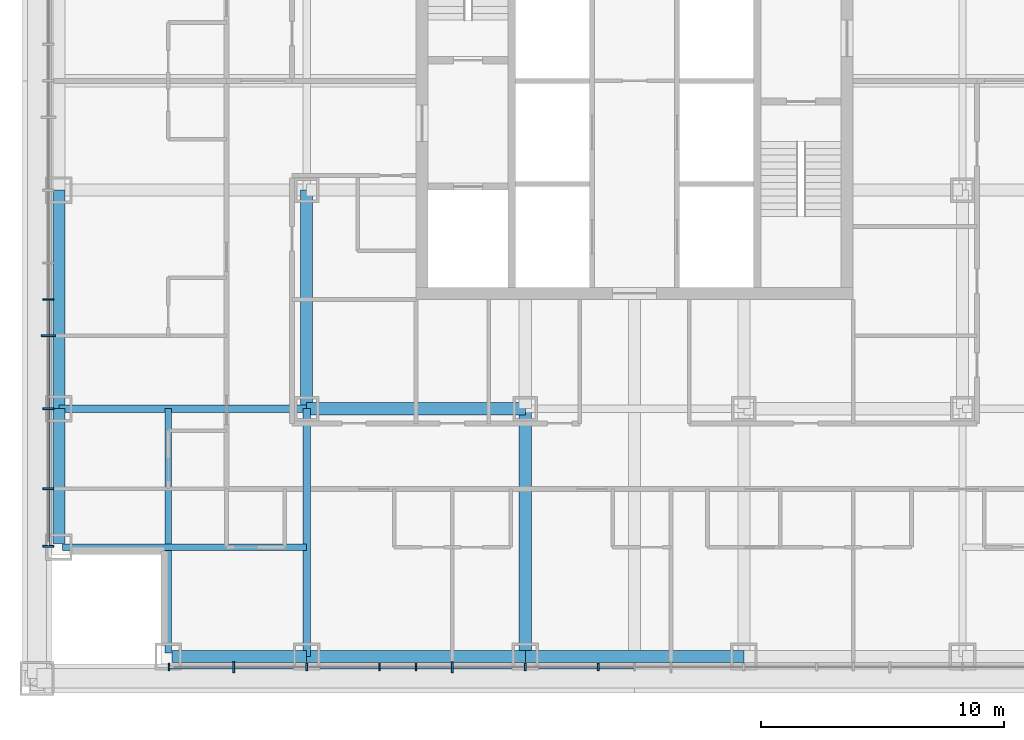
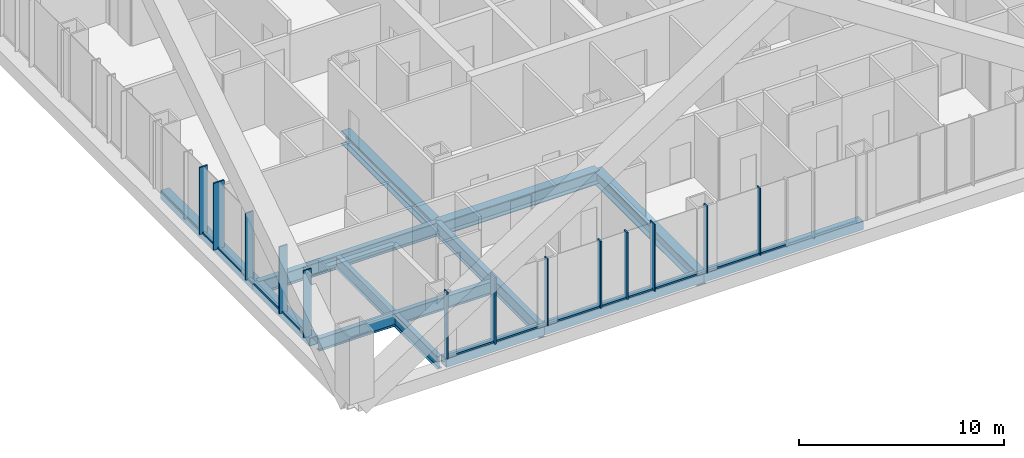
# One storey, part 2 of 21: 25 members, 12 beams, 2 elements without a shape of their own.
"""IFC4 building model written with IfcOpenShell, lengths in metres."""

from ifc_helpers import new_model, si_unit, direction, frame, origin, origin_2d, place, context, subcontext, project, spatial, rectangle, hollow_rectangle, i_section, extrude, material, layer, layer_set, material_profile, profile_set, type_object, element, aggregate, save


model = new_model("IFC4")

# Units and contexts
model_context = context("Model", 3, precision=1e-05, world=origin(), true_north=direction((0.0, 1.0)))
body_context = subcontext(model_context, "Body", "Model", "MODEL_VIEW")
ifc_project = project(units=[si_unit("LENGTHUNIT", "METRE"), si_unit("AREAUNIT", "SQUARE_METRE"), si_unit("VOLUMEUNIT", "CUBIC_METRE"), si_unit("PLANEANGLEUNIT", "RADIAN"), si_unit("MASSUNIT", "GRAM", prefix="KILO")], contexts=[model_context])

# Site, building, storey
site_placement = place(None, origin())
site = spatial("IfcSite", under=ifc_project, at=site_placement, CompositionType="ELEMENT")
building_placement = place(site_placement, origin())
building = spatial("IfcBuilding", under=site, at=building_placement, Name="Malebo Sky Hospital", CompositionType="ELEMENT")
storey_placement = place(building_placement, frame((0.0, 0.0, 140.0)))
storey = spatial("IfcBuildingStorey", under=building, at=storey_placement, Name="L33", CompositionType="ELEMENT", Elevation=140.0)

# Curtain wall, members
ifc_material_1 = material(Name="Anodised aluminium, natural silver", Category="aluminium")
ifc_layer_1 = layer(ifc_material_1, 0.25)
ifc_layer_set_1 = layer_set([ifc_layer_1], Name="WARD CURTAIN WALL EAST AND WEST")
curtain_wall_type_1 = type_object("IfcCurtainWallType", Name="WARD CURTAIN WALL EAST AND WEST", PredefinedType="NOTDEFINED", material=ifc_layer_set_1)
curtain_wall_1_placement = place(storey_placement, origin())
curtain_wall_1 = element("IfcCurtainWall", 1, at=curtain_wall_1_placement, inside=storey, type_object=curtain_wall_type_1, Name="EW curtain wall W", PredefinedType="NOTDEFINED")
ifc_material_profile_1 = material_profile(ifc_material_1, rectangle(XDim=0.14990234375, YDim=0.10009765625, at=origin_2d()), Name="ALUMINIUM TRANSOM 150x100")
ifc_profile_set_1 = profile_set([ifc_material_profile_1], Name="Anodised aluminium, natural silver")
member_type_1 = type_object("IfcMemberType", Name="ALUMINIUM TRANSOM 150x100", PredefinedType="USERDEFINED", material=ifc_profile_set_1)
member_1_placement = place(storey_placement, frame((35.864990234375, 42.875, 0.050048828125), z_axis=(0.0, 1.0, 0.0), x_axis=(-1.0, 0.0, 0.0)))
member_1 = element("IfcMember", 2, at=member_1_placement, type_object=member_type_1, Name="Transom 1", ObjectType="TRANSOM", PredefinedType="USERDEFINED", context=body_context, shape_type="SweptSolid", body=[
    extrude(rectangle(XDim=0.14990234375, YDim=0.10009765625, at=origin_2d()), origin(), (0.0, 0.0, 1.0), 2.28759765625),
])
member_2_placement = place(storey_placement, frame((35.864990234375, 45.237548828125, 0.050048828125), z_axis=(0.0, 1.0, 0.0), x_axis=(-1.0, 0.0, 0.0)))
member_2 = element("IfcMember", 3, at=member_2_placement, type_object=member_type_1, Name="Transom 2", ObjectType="TRANSOM", PredefinedType="USERDEFINED", context=body_context, shape_type="SweptSolid", body=[
    extrude(rectangle(XDim=0.14990234375, YDim=0.10009765625, at=origin_2d()), origin(), (0.0, 0.0, 1.0), 3.224853515625),
])
member_3_placement = place(storey_placement, frame((35.864990234375, 48.53759765625, 0.050048828125), z_axis=(0.0, 1.0, 0.0), x_axis=(-1.0, 0.0, 0.0)))
member_3 = element("IfcMember", 4, at=member_3_placement, type_object=member_type_1, Name="Transom 3", ObjectType="TRANSOM", PredefinedType="USERDEFINED", context=body_context, shape_type="SweptSolid", body=[
    extrude(rectangle(XDim=0.14990234375, YDim=0.10009765625, at=origin_2d()), origin(), (0.0, 0.0, 1.0), 2.9248046875),
])
member_4_placement = place(storey_placement, frame((35.864990234375, 51.53759765625, 0.050048828125), z_axis=(0.0, 1.0, 0.0), x_axis=(-1.0, 0.0, 0.0)))
member_4 = element("IfcMember", 5, at=member_4_placement, type_object=member_type_1, Name="Transom 4", ObjectType="TRANSOM", PredefinedType="USERDEFINED", context=body_context, shape_type="SweptSolid", body=[
    extrude(rectangle(XDim=0.14990234375, YDim=0.10009765625, at=origin_2d()), origin(), (0.0, 0.0, 1.0), 1.4248046875),
])

ifc_layer_2 = layer(ifc_material_1, 0.25)
ifc_layer_set_2 = layer_set([ifc_layer_2], Name="WARD CURTAIN WALL NORTH AND SOUTH")
curtain_wall_type_2 = type_object("IfcCurtainWallType", Name="WARD CURTAIN WALL NORTH AND SOUTH", PredefinedType="NOTDEFINED", material=ifc_layer_set_2)
curtain_wall_2_placement = place(storey_placement, origin())
curtain_wall_2 = element("IfcCurtainWall", 6, at=curtain_wall_2_placement, inside=storey, type_object=curtain_wall_type_2, Name="NS curtain wall S", PredefinedType="NOTDEFINED")
member_5_placement = place(storey_placement, frame((59.96240234375, 37.864990234375, 0.050048828125), z_axis=(-1.0, 0.0, 0.0), x_axis=(0.0, -1.0, 0.0)))
member_5 = element("IfcMember", 7, at=member_5_placement, type_object=member_type_1, Name="Transom 9", ObjectType="TRANSOM", PredefinedType="USERDEFINED", context=body_context, shape_type="SweptSolid", body=[
    extrude(rectangle(XDim=0.14990234375, YDim=0.10009765625, at=origin_2d()), origin(), (0.0, 0.0, 1.0), 1.4248046875),
])
member_6_placement = place(storey_placement, frame((58.46240234375, 37.864990234375, 0.050048828125), z_axis=(-1.0, 0.0, 0.0), x_axis=(0.0, -1.0, 0.0)))
member_6 = element("IfcMember", 8, at=member_6_placement, type_object=member_type_1, Name="Transom 10", ObjectType="TRANSOM", PredefinedType="USERDEFINED", context=body_context, shape_type="SweptSolid", body=[
    extrude(rectangle(XDim=0.14990234375, YDim=0.10009765625, at=origin_2d()), origin(), (0.0, 0.0, 1.0), 2.9248046875),
])
member_7_placement = place(storey_placement, frame((55.46240234375, 37.864990234375, 0.050048828125), z_axis=(-1.0, 0.0, 0.0), x_axis=(0.0, -1.0, 0.0)))
member_7 = element("IfcMember", 9, at=member_7_placement, type_object=member_type_1, Name="Transom 11", ObjectType="TRANSOM", PredefinedType="USERDEFINED", context=body_context, shape_type="SweptSolid", body=[
    extrude(rectangle(XDim=0.14990234375, YDim=0.10009765625, at=origin_2d()), origin(), (0.0, 0.0, 1.0), 2.9248046875),
])
member_8_placement = place(storey_placement, frame((52.46240234375, 37.864990234375, 0.050048828125), z_axis=(-1.0, 0.0, 0.0), x_axis=(0.0, -1.0, 0.0)))
member_8 = element("IfcMember", 10, at=member_8_placement, type_object=member_type_1, Name="Transom 12", ObjectType="TRANSOM", PredefinedType="USERDEFINED", context=body_context, shape_type="SweptSolid", body=[
    extrude(rectangle(XDim=0.14990234375, YDim=0.10009765625, at=origin_2d()), origin(), (0.0, 0.0, 1.0), 1.4248046875),
])
member_9_placement = place(storey_placement, frame((50.96240234375, 37.864990234375, 0.050048828125), z_axis=(-1.0, 0.0, 0.0), x_axis=(0.0, -1.0, 0.0)))
member_9 = element("IfcMember", 11, at=member_9_placement, type_object=member_type_1, Name="Transom 13", ObjectType="TRANSOM", PredefinedType="USERDEFINED", context=body_context, shape_type="SweptSolid", body=[
    extrude(rectangle(XDim=0.14990234375, YDim=0.10009765625, at=origin_2d()), origin(), (0.0, 0.0, 1.0), 1.4248046875),
])
member_10_placement = place(storey_placement, frame((49.46240234375, 37.864990234375, 0.050048828125), z_axis=(-1.0, 0.0, 0.0), x_axis=(0.0, -1.0, 0.0)))
member_10 = element("IfcMember", 12, at=member_10_placement, type_object=member_type_1, Name="Transom 14", ObjectType="TRANSOM", PredefinedType="USERDEFINED", context=body_context, shape_type="SweptSolid", body=[
    extrude(rectangle(XDim=0.14990234375, YDim=0.10009765625, at=origin_2d()), origin(), (0.0, 0.0, 1.0), 2.9248046875),
])
member_11_placement = place(storey_placement, frame((46.46240234375, 37.864990234375, 0.050048828125), z_axis=(-1.0, 0.0, 0.0), x_axis=(0.0, -1.0, 0.0)))
member_11 = element("IfcMember", 13, at=member_11_placement, type_object=member_type_1, Name="Transom 15", ObjectType="TRANSOM", PredefinedType="USERDEFINED", context=body_context, shape_type="SweptSolid", body=[
    extrude(rectangle(XDim=0.14990234375, YDim=0.10009765625, at=origin_2d()), origin(), (0.0, 0.0, 1.0), 2.9248046875),
])
member_12_placement = place(storey_placement, frame((43.46240234375, 37.864990234375, 0.050048828125), z_axis=(-1.0, 0.0, 0.0), x_axis=(0.0, -1.0, 0.0)))
member_12 = element("IfcMember", 14, at=member_12_placement, type_object=member_type_1, Name="Transom 16", ObjectType="TRANSOM", PredefinedType="USERDEFINED", context=body_context, shape_type="SweptSolid", body=[
    extrude(rectangle(XDim=0.14990234375, YDim=0.10009765625, at=origin_2d()), origin(), (0.0, 0.0, 1.0), 2.58740234375),
])
ifc_material_profile_2 = material_profile(ifc_material_1, rectangle(XDim=0.074951171875, YDim=0.300048828125, at=origin_2d()), Name="CW1 ALUMINIUM FIN MULLION 75x300")
ifc_profile_set_2 = profile_set([ifc_material_profile_2], Name="Anodised aluminium, natural silver")
member_type_2 = type_object("IfcMemberType", Name="CW1 ALUMINIUM FIN MULLION 75x300", PredefinedType="MULLION", material=ifc_profile_set_2)
member_13_placement = place(storey_placement, frame((58.5, 37.864990234375, 0.0), z_axis=(0.0, 0.0, 1.0), x_axis=(-1.0, 0.0, 0.0)))
member_13 = element("IfcMember", 15, at=member_13_placement, type_object=member_type_2, Name="Fin mullion 10", PredefinedType="MULLION", context=body_context, shape_type="SweptSolid", body=[
    extrude(rectangle(XDim=0.074951171875, YDim=0.300048828125, at=origin_2d()), origin(), (0.0, 0.0, 1.0), 4.0),
])
member_14_placement = place(storey_placement, frame((55.5, 37.864990234375, 0.0), z_axis=(0.0, 0.0, 1.0), x_axis=(-1.0, 0.0, 0.0)))
member_14 = element("IfcMember", 16, at=member_14_placement, type_object=member_type_2, Name="Fin mullion 11", PredefinedType="MULLION", context=body_context, shape_type="SweptSolid", body=[
    extrude(rectangle(XDim=0.074951171875, YDim=0.300048828125, at=origin_2d()), origin(), (0.0, 0.0, 1.0), 4.0),
])
member_15_placement = place(storey_placement, frame((51.0, 37.864990234375, 0.0), z_axis=(0.0, 0.0, 1.0), x_axis=(-1.0, 0.0, 0.0)))
member_15 = element("IfcMember", 17, at=member_15_placement, type_object=member_type_2, Name="Fin mullion 13", PredefinedType="MULLION", context=body_context, shape_type="SweptSolid", body=[
    extrude(rectangle(XDim=0.074951171875, YDim=0.300048828125, at=origin_2d()), origin(), (0.0, 0.0, 1.0), 4.0),
])
member_16_placement = place(storey_placement, frame((49.5, 37.864990234375, 0.0), z_axis=(0.0, 0.0, 1.0), x_axis=(-1.0, 0.0, 0.0)))
member_16 = element("IfcMember", 18, at=member_16_placement, type_object=member_type_2, Name="Fin mullion 14", PredefinedType="MULLION", context=body_context, shape_type="SweptSolid", body=[
    extrude(rectangle(XDim=0.074951171875, YDim=0.300048828125, at=origin_2d()), origin(), (0.0, 0.0, 1.0), 4.0),
])
member_17_placement = place(storey_placement, frame((46.5, 37.864990234375, 0.0), z_axis=(0.0, 0.0, 1.0), x_axis=(-1.0, 0.0, 0.0)))
member_17 = element("IfcMember", 19, at=member_17_placement, type_object=member_type_2, Name="Fin mullion 15", PredefinedType="MULLION", context=body_context, shape_type="SweptSolid", body=[
    extrude(rectangle(XDim=0.074951171875, YDim=0.300048828125, at=origin_2d()), origin(), (0.0, 0.0, 1.0), 4.0),
])
member_18_placement = place(storey_placement, frame((40.83740234375, 37.864990234375, 0.0), z_axis=(0.0, 0.0, 1.0), x_axis=(-1.0, 0.0, 0.0)))
member_18 = element("IfcMember", 20, at=member_18_placement, type_object=member_type_2, Name="Fin mullion 17", PredefinedType="MULLION", context=body_context, shape_type="SweptSolid", body=[
    extrude(rectangle(XDim=0.074951171875, YDim=0.300048828125, at=origin_2d()), origin(), (0.0, 0.0, 1.0), 4.0),
])
ifc_material_profile_3 = material_profile(ifc_material_1, rectangle(XDim=0.074951171875, YDim=0.449951171875, at=origin_2d()), Name="CW1 ALUMINIUM FIN MULLION 75x450")
ifc_profile_set_3 = profile_set([ifc_material_profile_3], Name="Anodised aluminium, natural silver")
member_type_3 = type_object("IfcMemberType", Name="CW1 ALUMINIUM FIN MULLION 75x450", PredefinedType="MULLION", material=ifc_profile_set_3)
member_19_placement = place(storey_placement, frame((52.5, 37.864990234375, 0.0), z_axis=(0.0, 0.0, 1.0), x_axis=(-1.0, 0.0, 0.0)))
member_19 = element("IfcMember", 21, at=member_19_placement, type_object=member_type_3, Name="Fin mullion 12", PredefinedType="MULLION", context=body_context, shape_type="SweptSolid", body=[
    extrude(rectangle(XDim=0.074951171875, YDim=0.449951171875, at=origin_2d()), origin(), (0.0, 0.0, 1.0), 4.0),
])
member_20_placement = place(storey_placement, frame((43.5, 37.864990234375, 0.0), z_axis=(0.0, 0.0, 1.0), x_axis=(-1.0, 0.0, 0.0)))
member_20 = element("IfcMember", 22, at=member_20_placement, type_object=member_type_3, Name="Fin mullion 16", PredefinedType="MULLION", context=body_context, shape_type="SweptSolid", body=[
    extrude(rectangle(XDim=0.074951171875, YDim=0.449951171875, at=origin_2d()), origin(), (0.0, 0.0, 1.0), 4.0),
])
aggregate(curtain_wall_2, [member_13, member_14, member_19, member_15, member_16, member_17, member_20, member_18, member_5, member_6, member_7, member_8, member_9, member_10, member_11, member_12])

# Member
ifc_material_profile_4 = material_profile(ifc_material_1, rectangle(XDim=0.074951171875, YDim=0.449951171875, at=origin_2d()), Name="CW2 ALUMINIUM FIN MULLION 75x450")
ifc_profile_set_4 = profile_set([ifc_material_profile_4], Name="Anodised aluminium, natural silver")
member_type_4 = type_object("IfcMemberType", Name="CW2 ALUMINIUM FIN MULLION 75x450", PredefinedType="MULLION", material=ifc_profile_set_4)
member_21_placement = place(storey_placement, frame((35.864990234375, 42.83740234375, 0.0), z_axis=(0.0, 0.0, 1.0), x_axis=(0.0, 1.0, 0.0)))
member_21 = element("IfcMember", 23, at=member_21_placement, type_object=member_type_4, Name="Fin mullion 1", PredefinedType="MULLION", context=body_context, shape_type="SweptSolid", body=[
    extrude(rectangle(XDim=0.074951171875, YDim=0.449951171875, at=origin_2d()), origin(), (0.0, 0.0, 1.0), 4.0),
])

member_22_placement = place(storey_placement, frame((35.864990234375, 45.199951171875, 0.0), z_axis=(0.0, 0.0, 1.0), x_axis=(0.0, 1.0, 0.0)))
member_22 = element("IfcMember", 24, at=member_22_placement, type_object=member_type_4, Name="Fin mullion 2", PredefinedType="MULLION", context=body_context, shape_type="SweptSolid", body=[
    extrude(rectangle(XDim=0.074951171875, YDim=0.449951171875, at=origin_2d()), origin(), (0.0, 0.0, 1.0), 4.0),
])

member_23_placement = place(storey_placement, frame((35.864990234375, 48.5, 0.0), z_axis=(0.0, 0.0, 1.0), x_axis=(0.0, 1.0, 0.0)))
member_23 = element("IfcMember", 25, at=member_23_placement, type_object=member_type_4, Name="Fin mullion 3", PredefinedType="MULLION", context=body_context, shape_type="SweptSolid", body=[
    extrude(rectangle(XDim=0.074951171875, YDim=0.449951171875, at=origin_2d()), origin(), (0.0, 0.0, 1.0), 4.0),
])

member_24_placement = place(storey_placement, frame((35.864990234375, 53.0, 0.0), z_axis=(0.0, 0.0, 1.0), x_axis=(0.0, 1.0, 0.0)))
member_24 = element("IfcMember", 26, at=member_24_placement, type_object=member_type_4, Name="Fin mullion 5", PredefinedType="MULLION", context=body_context, shape_type="SweptSolid", body=[
    extrude(rectangle(XDim=0.074951171875, YDim=0.449951171875, at=origin_2d()), origin(), (0.0, 0.0, 1.0), 4.0),
])

ifc_material_profile_5 = material_profile(ifc_material_1, rectangle(XDim=0.074951171875, YDim=0.60009765625, at=origin_2d()), Name="CW2 ALUMINIUM FIN MULLION 75x600")
ifc_profile_set_5 = profile_set([ifc_material_profile_5], Name="Anodised aluminium, natural silver")
member_type_5 = type_object("IfcMemberType", Name="CW2 ALUMINIUM FIN MULLION 75x600", PredefinedType="MULLION", material=ifc_profile_set_5)
member_25_placement = place(storey_placement, frame((35.864990234375, 51.5, 0.0), z_axis=(0.0, 0.0, 1.0), x_axis=(0.0, 1.0, 0.0)))
member_25 = element("IfcMember", 27, at=member_25_placement, type_object=member_type_5, Name="Fin mullion 4", PredefinedType="MULLION", context=body_context, shape_type="SweptSolid", body=[
    extrude(rectangle(XDim=0.074951171875, YDim=0.60009765625, at=origin_2d()), origin(), (0.0, 0.0, 1.0), 4.0),
])

aggregate(curtain_wall_1, [member_21, member_22, member_23, member_25, member_24, member_1, member_2, member_3, member_4])

# Beams
ifc_material_2 = material(Name="Steel S460", Category="steel")
ifc_material_profile_6 = material_profile(ifc_material_2, hollow_rectangle(XDim=0.5, YDim=0.5, WallThickness=0.030029296875, at=origin_2d()), Name="BOX 500x500x30")
ifc_profile_set_6 = profile_set([ifc_material_profile_6], Name="Steel S460")
beam_type_1 = type_object("IfcBeamType", Name="EDGE BEAM BOX 500x500x30", PredefinedType="BEAM", material=ifc_profile_set_6)
beam_1_placement = place(storey_placement, frame((36.300048828125, 42.949951171875, -0.5), z_axis=(0.0, 1.0, 0.0), x_axis=(-1.0, 0.0, 0.0)))
element("IfcBeam", 28, at=beam_1_placement, inside=storey, type_object=beam_type_1, Name="Beam 000 L33", PredefinedType="BEAM", context=body_context, shape_type="SweptSolid", body=[
    extrude(hollow_rectangle(XDim=0.5, YDim=0.5, WallThickness=0.030029296875, at=origin_2d()), origin(), (0.0, 0.0, 1.0), 5.550048828125),
])
beam_2_placement = place(storey_placement, frame((36.300048828125, 48.5, -0.5), z_axis=(0.0, 1.0, 0.0), x_axis=(-1.0, 0.0, 0.0)))
element("IfcBeam", 29, at=beam_2_placement, inside=storey, type_object=beam_type_1, Name="Beam 001 L33", PredefinedType="BEAM", context=body_context, shape_type="SweptSolid", body=[
    extrude(hollow_rectangle(XDim=0.5, YDim=0.5, WallThickness=0.030029296875, at=origin_2d()), origin(), (0.0, 0.0, 1.0), 9.0),
])
beam_3_placement = place(storey_placement, frame((40.949951171875, 38.300048828125, -0.5), z_axis=(1.0, 0.0, 0.0), x_axis=(0.0, 1.0, 0.0)))
element("IfcBeam", 30, at=beam_3_placement, inside=storey, type_object=beam_type_1, Name="Beam 034 L33", PredefinedType="BEAM", context=body_context, shape_type="SweptSolid", body=[
    extrude(hollow_rectangle(XDim=0.5, YDim=0.5, WallThickness=0.030029296875, at=origin_2d()), origin(), (0.0, 0.0, 1.0), 5.550048828125),
])
for number, where, z_axis, x_axis, name in (
    (31, (46.5, 38.300048828125, -0.5), (1.0, 0.0, 0.0), (0.0, 1.0, 0.0), "Beam 035 L33"),
    (32, (55.5, 38.300048828125, -0.5), (1.0, 0.0, 0.0), (0.0, 1.0, 0.0), "Beam 036 L33"),
):
    element("IfcBeam", number, at=place(storey_placement, frame(where, z_axis=z_axis, x_axis=x_axis)), inside=storey, type_object=beam_type_1, Name=name, PredefinedType="BEAM", context=body_context, shape_type="SweptSolid", body=[
        extrude(hollow_rectangle(XDim=0.5, YDim=0.5, WallThickness=0.030029296875, at=origin_2d()), origin(), (0.0, 0.0, 1.0), 9.0),
    ])
ifc_material_3 = material(Name="Steel S355", Category="steel")
ifc_material_profile_7 = material_profile(ifc_material_3, i_section(OverallWidth=0.262939453125, OverallDepth=0.7529296875, WebThickness=0.011474609375, FlangeThickness=0.01708984375, FilletRadius=0.01708984375, at=origin_2d()), Name="IPE 750x137")
ifc_profile_set_7 = profile_set([ifc_material_profile_7], Name="Steel S355")
beam_type_2 = type_object("IfcBeamType", Name="FLOOR BEAM IPE 750x137", PredefinedType="BEAM", material=ifc_profile_set_7)
for number, where, z_axis, x_axis, name in (
    (33, (40.800048828125, 38.449951171875, -0.62646484375), (0.0, 1.0, 0.0), (-1.0, 0.0, 0.0), "Beam 005 L33"),
    (34, (36.449951171875, 42.800048828125, -0.62646484375), (1.0, 0.0, 0.0), (0.0, 1.0, 0.0), "Beam 039 L33"),
):
    element("IfcBeam", number, at=place(storey_placement, frame(where, z_axis=z_axis, x_axis=x_axis)), inside=storey, type_object=beam_type_2, Name=name, PredefinedType="BEAM", context=body_context, shape_type="SweptSolid", body=[
        extrude(i_section(OverallWidth=0.262939453125, OverallDepth=0.7529296875, WebThickness=0.011474609375, FlangeThickness=0.01708984375, FilletRadius=0.01708984375, at=origin_2d()), origin(), (0.0, 0.0, 1.0), 10.050048828125),
    ])
ifc_material_profile_8 = material_profile(ifc_material_3, i_section(OverallWidth=0.5, OverallDepth=0.800048828125, WebThickness=0.030029296875, FlangeThickness=0.050048828125, at=origin_2d()), Name="PG 800x500x30x50")
ifc_profile_set_8 = profile_set([ifc_material_profile_8], Name="Steel S355")
beam_type_3 = type_object("IfcBeamType", Name="FLOOR BEAM PG 800x500x30x50", PredefinedType="BEAM", material=ifc_profile_set_8)
beam_4_placement = place(storey_placement, frame((46.5, 48.5, -0.64990234375), z_axis=(0.0, 1.0, 0.0), x_axis=(-1.0, 0.0, 0.0)))
element("IfcBeam", 35, at=beam_4_placement, inside=storey, type_object=beam_type_3, Name="Beam 008 L33", PredefinedType="BEAM", context=body_context, shape_type="SweptSolid", body=[
    extrude(i_section(OverallWidth=0.5, OverallDepth=0.800048828125, WebThickness=0.030029296875, FlangeThickness=0.050048828125, at=origin_2d()), origin(), (0.0, 0.0, 1.0), 9.0),
])
beam_5_placement = place(storey_placement, frame((55.5, 38.300048828125, -0.64990234375), z_axis=(0.0, 1.0, 0.0), x_axis=(-1.0, 0.0, 0.0)))
element("IfcBeam", 36, at=beam_5_placement, inside=storey, type_object=beam_type_3, Name="Beam 012 L33", PredefinedType="BEAM", context=body_context, shape_type="SweptSolid", body=[
    extrude(i_section(OverallWidth=0.5, OverallDepth=0.800048828125, WebThickness=0.030029296875, FlangeThickness=0.050048828125, at=origin_2d()), origin(), (0.0, 0.0, 1.0), 10.199951171875),
])
beam_6_placement = place(storey_placement, frame((46.5, 48.5, -0.64990234375), z_axis=(1.0, 0.0, 0.0), x_axis=(0.0, 1.0, 0.0)))
element("IfcBeam", 37, at=beam_6_placement, inside=storey, type_object=beam_type_3, Name="Beam 042 L33", PredefinedType="BEAM", context=body_context, shape_type="SweptSolid", body=[
    extrude(i_section(OverallWidth=0.5, OverallDepth=0.800048828125, WebThickness=0.030029296875, FlangeThickness=0.050048828125, at=origin_2d()), origin(), (0.0, 0.0, 1.0), 9.0),
])
ifc_material_profile_9 = material_profile(ifc_material_3, i_section(OverallWidth=0.300048828125, OverallDepth=0.800048828125, WebThickness=0.017578125, FlangeThickness=0.032958984375, FilletRadius=0.030029296875, at=origin_2d()), Name="HEB 800")
ifc_profile_set_9 = profile_set([ifc_material_profile_9], Name="Steel S355")
beam_type_4 = type_object("IfcBeamType", Name="FLOOR GIRDER HEB 800", PredefinedType="BEAM", material=ifc_profile_set_9)
for number, where, z_axis, x_axis, name in (
    (38, (46.5, 38.300048828125, -0.64990234375), (0.0, 1.0, 0.0), (-1.0, 0.0, 0.0), "Beam 007 L33"),
    (39, (36.300048828125, 48.5, -0.64990234375), (1.0, 0.0, 0.0), (0.0, 1.0, 0.0), "Beam 041 L33"),
):
    element("IfcBeam", number, at=place(storey_placement, frame(where, z_axis=z_axis, x_axis=x_axis)), inside=storey, type_object=beam_type_4, Name=name, PredefinedType="BEAM", context=body_context, shape_type="SweptSolid", body=[
        extrude(i_section(OverallWidth=0.300048828125, OverallDepth=0.800048828125, WebThickness=0.017578125, FlangeThickness=0.032958984375, FilletRadius=0.030029296875, at=origin_2d()), origin(), (0.0, 0.0, 1.0), 10.199951171875),
    ])

save(model, "model.ifc")
